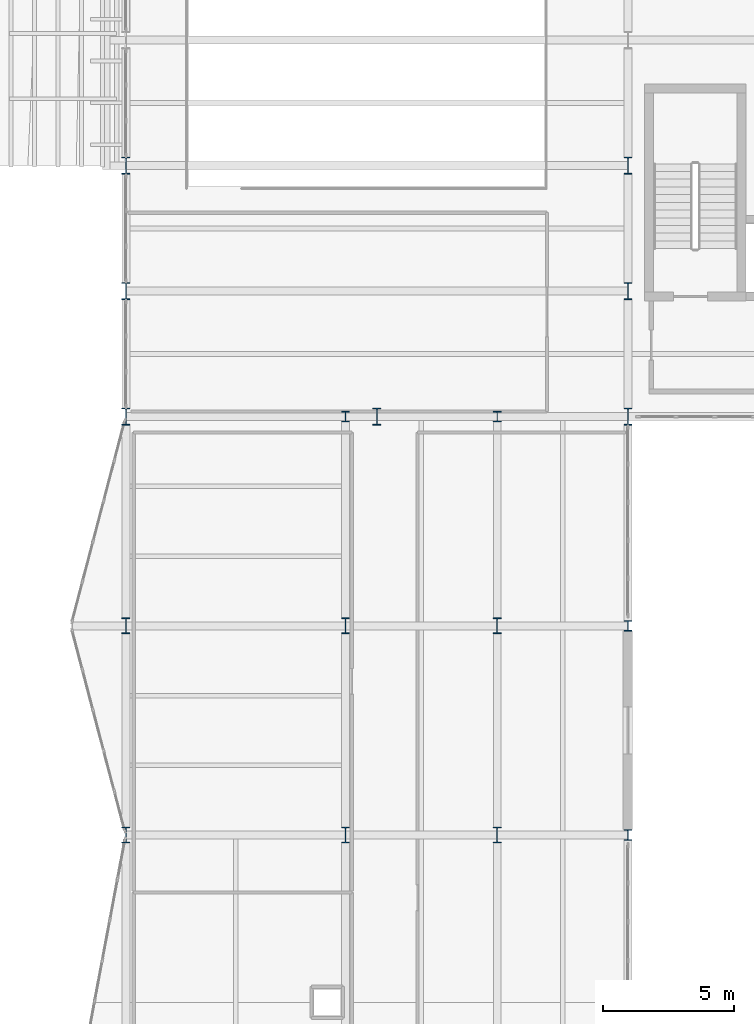
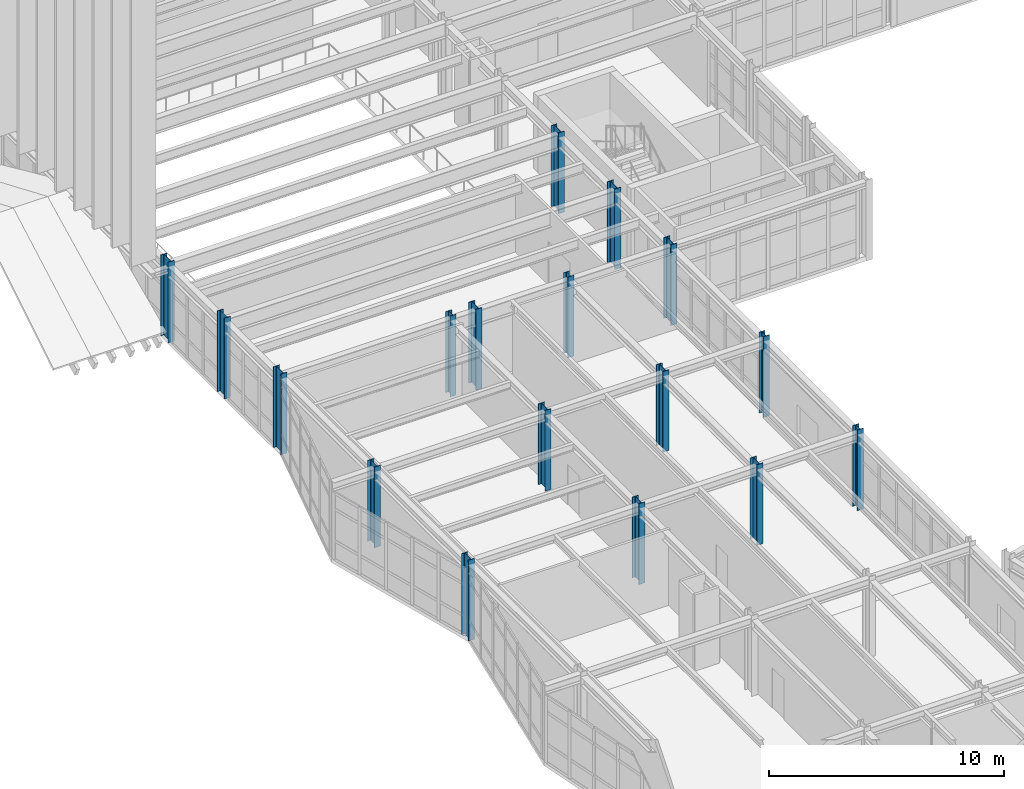
# One storey, part 9 of 99: 17 columns.
"""IFC4 building model written with IfcOpenShell, lengths in metres."""

import ifcopenshell
import ifcopenshell.guid

model = None  # the IFC model being written
_history = None  # IfcOwnerHistory: only IFC2X3 demands one
_inside = {}  # id of a spatial element -> (the spatial element, [elements in it])
_under = {}  # id of a project, library or spatial element -> (it, [spatial elements below it])
_declared = {}  # id of a project -> (the project, [libraries it declares])
_typed = {}  # id of a type object -> (the type object, [elements of that type])
_made_of = {}  # id of a material, layer set ... -> (it, [elements and type objects made of it])


def new_model(schema):
    """Start an empty IFC model of exactly this schema.

    Asked for "IFC4X3", IfcOpenShell would pick the latest addendum, in which some entities
    have other attributes; the version numbers below select the first issue.
    IFC2X3 requires an IfcOwnerHistory on every rooted entity: one is made here for all.
    """
    global model, _history
    if schema == "IFC4X3":
        model = ifcopenshell.file(schema_version=(4, 3, 0, 0))
    else:
        model = ifcopenshell.file(schema=schema)
    _inside.clear()
    _under.clear()
    _declared.clear()
    _typed.clear()
    _made_of.clear()
    _history = None
    if model.schema == "IFC2X3":
        org = make("IfcOrganization", Name="unknown")
        user = make(
            "IfcPersonAndOrganization",
            ThePerson=make("IfcPerson", FamilyName="unknown"),
            TheOrganization=org,
        )
        app = make(
            "IfcApplication",
            ApplicationDeveloper=org,
            Version="unknown",
            ApplicationFullName="unknown",
            ApplicationIdentifier="unknown",
        )
        _history = make(
            "IfcOwnerHistory",
            OwningUser=user,
            OwningApplication=app,
            ChangeAction="ADDED",
            CreationDate=0,
        )
    return model


def make(cls, **values):
    """One entity of the class cls with the attributes given. An attribute that is None is left unset."""
    return model.create_entity(
        cls, **{name: value for name, value in values.items() if value is not None}
    )


def rooted(cls, **values):
    """An entity with a GlobalId (a new one), such as an element, a storey or a relation."""
    return make(cls, GlobalId=ifcopenshell.guid.new(), OwnerHistory=_history, **values)


def si_unit(unit_type, name, prefix=None):
    """IfcSIUnit, for example si_unit("LENGTHUNIT", "METRE", prefix="MILLI")."""
    return make("IfcSIUnit", UnitType=unit_type, Prefix=prefix, Name=name)


def assignment(units):
    """IfcUnitAssignment: the units of a project."""
    return None if units is None else make("IfcUnitAssignment", Units=units)


def point(xyz):
    """IfcCartesianPoint."""
    return None if xyz is None else make("IfcCartesianPoint", Coordinates=xyz)


def direction(xyz):
    """IfcDirection."""
    return None if xyz is None else make("IfcDirection", DirectionRatios=xyz)


def frame(location, z_axis=None, x_axis=None):
    """IfcAxis2Placement3D, a coordinate frame: its origin and axes. An axis left out is left unset."""
    return make(
        "IfcAxis2Placement3D",
        Location=point(location),
        Axis=direction(z_axis),
        RefDirection=direction(x_axis),
    )


def frame_2d(location, x_axis=None):
    """IfcAxis2Placement2D, a coordinate frame in the plane: its origin and x axis."""
    return make(
        "IfcAxis2Placement2D", Location=point(location), RefDirection=direction(x_axis)
    )


def origin():
    """The frame at (0, 0, 0) with its axes left unset."""
    return frame((0.0, 0.0, 0.0))


def origin_2d():
    """The frame at (0, 0) in the plane with its x axis left unset."""
    return frame_2d((0.0, 0.0))


def place(relative_to, where):
    """IfcLocalPlacement: puts the frame where relative to a parent placement (None: the world)."""
    return make(
        "IfcLocalPlacement", PlacementRelTo=relative_to, RelativePlacement=where
    )


def context(
    kind, dimensions, precision=None, world=None, true_north=None, identifier=None
):
    """IfcGeometricRepresentationContext, for example the 3D "Model" context."""
    return make(
        "IfcGeometricRepresentationContext",
        ContextIdentifier=identifier,
        ContextType=kind,
        CoordinateSpaceDimension=dimensions,
        Precision=precision,
        WorldCoordinateSystem=world,
        TrueNorth=true_north,
    )


def subcontext(parent, identifier, kind, view, scale=None):
    """IfcGeometricRepresentationSubContext, for example "Body" below "Model"."""
    return make(
        "IfcGeometricRepresentationSubContext",
        ContextIdentifier=identifier,
        ContextType=kind,
        ParentContext=parent,
        TargetScale=scale,
        TargetView=view,
    )


def project(units=None, contexts=None):
    """IfcProject with its units and contexts."""
    return rooted(
        "IfcProject",
        Name="project",
        RepresentationContexts=contexts,
        UnitsInContext=assignment(units),
    )


def spatial(cls, under=None, at=None, **own):
    """A site, building, storey or space (cls), placed at a placement, below another one or the project."""
    s = rooted(cls, ObjectPlacement=at, **own)
    if under is not None:
        _under.setdefault(under.id(), (under, []))[1].append(s)
    return s


def profile(cls, at=None, kind="AREA", **sizes):
    """A parametric profile (cls). Its sizes go by their IFC names, for example OverallWidth=200.0."""
    return make(cls, ProfileType=kind, Position=at, **sizes)


def i_section(**sizes):
    """IfcIShapeProfileDef."""
    return profile("IfcIShapeProfileDef", **sizes)


def extrude(swept, where, along, depth):
    """IfcExtrudedAreaSolid: the profile swept, set in the frame where, extruded along a direction by depth."""
    return make(
        "IfcExtrudedAreaSolid",
        SweptArea=swept,
        Position=where,
        ExtrudedDirection=direction(along),
        Depth=depth,
    )


def shape(context_of_items, identifier, shape_type, items):
    """IfcShapeRepresentation: the items that make up one representation, for example the "Body"."""
    return make(
        "IfcShapeRepresentation",
        ContextOfItems=context_of_items,
        RepresentationIdentifier=identifier,
        RepresentationType=shape_type,
        Items=items,
    )


def material(Name=None, Category=None):
    """IfcMaterial."""
    return make("IfcMaterial", Name=Name, Category=Category)


def material_profile(
    of_material, cross_section, Name=None, Category=None, Priority=None
):
    """IfcMaterialProfile: a cross section and its material."""
    return make(
        "IfcMaterialProfile",
        Name=Name,
        Material=of_material,
        Profile=cross_section,
        Priority=Priority,
        Category=Category,
    )


def profile_set(profiles, Name=None, composite=None):
    """IfcMaterialProfileSet."""
    return make(
        "IfcMaterialProfileSet",
        Name=Name,
        MaterialProfiles=profiles,
        CompositeProfile=composite,
    )


def made_of(thing, what):
    """Note that an element or type object is made of a material, layer set ...; save() writes the relation."""
    if what is not None:
        _made_of.setdefault(what.id(), (what, []))[1].append(thing)
    return thing


def type_object(cls, material=None, **own):
    """A type object (cls), such as IfcWallType, which elements share."""
    return made_of(rooted(cls, **own), material)


def element(
    cls,
    number,
    at=None,
    inside=None,
    cuts=None,
    type_object=None,
    material=None,
    context=None,
    identifier="Body",
    shape_type=None,
    held_by="IfcProductDefinitionShape",
    body=None,
    shapes=None,
    **own,
):
    """One element of the class cls, such as IfcWall. Its Tag is "e" and its number.

    at: its placement. inside: the storey or other place that contains it. cuts: it is an
    opening in that element (IfcRelVoidsElement). A single representation is given by context,
    identifier, shape_type and body (its items); several are given by shapes. held_by: the class
    of the entity that holds the representations. save() writes the other relations.
    """
    e = rooted(cls, Tag="e%d" % number, ObjectPlacement=at, **own)
    if body is not None:
        shapes = [shape(context, identifier, shape_type, body)]
    if shapes is not None:
        e.Representation = make(held_by, Representations=shapes)
    if inside is not None:
        _inside.setdefault(inside.id(), (inside, []))[1].append(e)
    if cuts is not None:
        rooted(
            "IfcRelVoidsElement", RelatingBuildingElement=cuts, RelatedOpeningElement=e
        )
    if type_object is not None:
        _typed.setdefault(type_object.id(), (type_object, []))[1].append(e)
    return made_of(e, material)


def aggregate(whole, parts):
    """IfcRelAggregates: a whole, such as a stair, and the parts it consists of."""
    return rooted("IfcRelAggregates", RelatingObject=whole, RelatedObjects=parts)


def save(model, path):
    """Write the relations noted so far, then the file.

    IfcRelAggregates (storeys below a building ...), IfcRelContainedInSpatialStructure (elements
    in a storey), IfcRelDefinesByType, IfcRelAssociatesMaterial and IfcRelDeclares: one each for
    every whole, place, type object, material and project.
    """
    for whole, parts in _under.values():
        aggregate(whole, parts)
    for where, things in _inside.values():
        rooted(
            "IfcRelContainedInSpatialStructure",
            RelatedElements=things,
            RelatingStructure=where,
        )
    for kind, things in _typed.values():
        rooted("IfcRelDefinesByType", RelatedObjects=things, RelatingType=kind)
    for what, things in _made_of.values():
        rooted("IfcRelAssociatesMaterial", RelatedObjects=things, RelatingMaterial=what)
    for by, libraries in _declared.values():
        rooted("IfcRelDeclares", RelatingContext=by, RelatedDefinitions=libraries)
    model.write(path)


model = new_model("IFC4")

# Units and contexts
model_context = context("Model", 3, precision=1e-05, world=origin(), true_north=direction((0.0, 1.0)))
body_context = subcontext(model_context, "Body", "Model", "MODEL_VIEW")
ifc_project = project(units=[si_unit("LENGTHUNIT", "METRE"), si_unit("AREAUNIT", "SQUARE_METRE"), si_unit("VOLUMEUNIT", "CUBIC_METRE"), si_unit("PLANEANGLEUNIT", "RADIAN"), si_unit("MASSUNIT", "GRAM", prefix="KILO")], contexts=[model_context])

# Site, building, storey
site_placement = place(None, origin())
site = spatial("IfcSite", under=ifc_project, at=site_placement, CompositionType="ELEMENT")
building_placement = place(site_placement, origin())
building = spatial("IfcBuilding", under=site, at=building_placement, Name="Nordkorset Police Headquarters", CompositionType="ELEMENT")
storey_placement = place(building_placement, frame((0.0, 0.0, 5.25)))
storey = spatial("IfcBuildingStorey", under=building, at=storey_placement, Name="L01", CompositionType="ELEMENT", Elevation=5.25)

# Columns
ifc_material_1 = material(Name="Steel S355J2", Category="steel")
ifc_material_profile_1 = material_profile(ifc_material_1, i_section(OverallWidth=0.300048828125, OverallDepth=0.39990234375, WebThickness=0.013427734375, FlangeThickness=0.02392578125, FilletRadius=0.027099609375, at=origin_2d()), Name="HEB 400")
ifc_profile_set_1 = profile_set([ifc_material_profile_1], Name="Steel S355J2")
column_type_1 = type_object("IfcColumnType", Name="Col_HEB_400", PredefinedType="COLUMN", material=ifc_profile_set_1)
for number, where, z_axis, x_axis, name in (
    (1, (19.199951171875, 67.199951171875, 0.0), (0.0, 0.0, 1.0), (1.0, 0.0, 0.0), "Structural Column V3_X3_4 L01"),
    (2, (19.199951171875, 75.199951171875, 0.0), (0.0, 0.0, 1.0), (1.0, 0.0, 0.0), "Structural Column V3_X3_5 L01"),
    (3, (8.39990234375, 83.199951171875, 0.0), (0.0, 0.0, 1.0), (1.0, 0.0, 0.0), "Structural Column V3_X1_6 L01"),
    (4, (14.199951171875, 83.199951171875, 0.0), (0.0, 0.0, 1.0), (1.0, 0.0, 0.0), "Structural Column V3_X2_6 L01"),
):
    element("IfcColumn", number, at=place(storey_placement, frame(where, z_axis=z_axis, x_axis=x_axis)), inside=storey, type_object=column_type_1, Name=name, PredefinedType="COLUMN", context=body_context, shape_type="SweptSolid", body=[
        extrude(i_section(OverallWidth=0.300048828125, OverallDepth=0.39990234375, WebThickness=0.013427734375, FlangeThickness=0.02392578125, FilletRadius=0.027099609375, at=origin_2d()), origin(), (0.0, 0.0, 1.0), 4.199951171875),
    ])
ifc_material_2 = material(Name="Steel S355J2", Category="steel")
ifc_material_profile_2 = material_profile(ifc_material_2, i_section(OverallWidth=0.300048828125, OverallDepth=0.60009765625, WebThickness=0.015380859375, FlangeThickness=0.030029296875, FilletRadius=0.027099609375, at=origin_2d()), Name="HEB 600")
ifc_profile_set_2 = profile_set([ifc_material_profile_2], Name="Steel S355J2")
column_type_2 = type_object("IfcColumnType", Name="Col_HEB_600", PredefinedType="COLUMN", material=ifc_profile_set_2)
for number, where, z_axis, x_axis, name in (
    (5, (0.0, 67.199951171875, 0.0), (0.0, 0.0, 1.0), (1.0, 0.0, 0.0), "Structural Column V3_X0_4 L01"),
    (6, (8.39990234375, 67.199951171875, 0.0), (0.0, 0.0, 1.0), (1.0, 0.0, 0.0), "Structural Column V3_X1_4 L01"),
    (7, (14.199951171875, 67.199951171875, 0.0), (0.0, 0.0, 1.0), (1.0, 0.0, 0.0), "Structural Column V3_X2_4 L01"),
    (8, (0.0, 75.199951171875, 0.0), (0.0, 0.0, 1.0), (1.0, 0.0, 0.0), "Structural Column V3_X0_5 L01"),
    (9, (8.39990234375, 75.199951171875, 0.0), (0.0, 0.0, 1.0), (1.0, 0.0, 0.0), "Structural Column V3_X1_5 L01"),
    (10, (14.199951171875, 75.199951171875, 0.0), (0.0, 0.0, 1.0), (1.0, 0.0, 0.0), "Structural Column V3_X2_5 L01"),
):
    element("IfcColumn", number, at=place(storey_placement, frame(where, z_axis=z_axis, x_axis=x_axis)), inside=storey, type_object=column_type_2, Name=name, PredefinedType="COLUMN", context=body_context, shape_type="SweptSolid", body=[
        extrude(i_section(OverallWidth=0.300048828125, OverallDepth=0.60009765625, WebThickness=0.015380859375, FlangeThickness=0.030029296875, FilletRadius=0.027099609375, at=origin_2d()), origin(), (0.0, 0.0, 1.0), 4.199951171875),
    ])
ifc_material_3 = material(Name="Steel S355J2", Category="steel")
ifc_material_profile_3 = material_profile(ifc_material_3, i_section(OverallWidth=0.300048828125, OverallDepth=0.64990234375, WebThickness=0.01611328125, FlangeThickness=0.031005859375, FilletRadius=0.027099609375, at=origin_2d()), Name="HEB 650")
ifc_profile_set_3 = profile_set([ifc_material_profile_3], Name="Steel S355J2")
column_type_3 = type_object("IfcColumnType", Name="Col_HEB_650", PredefinedType="COLUMN", material=ifc_profile_set_3)
for number, where, z_axis, x_axis, name in (
    (11, (0.0, 83.199951171875, 0.0), (0.0, 0.0, 1.0), (1.0, 0.0, 0.0), "Structural Column V1_W_0 L01"),
    (12, (0.0, 88.0, 0.0), (0.0, 0.0, 1.0), (1.0, 0.0, 0.0), "Structural Column V1_W_1 L01"),
    (13, (0.0, 92.800048828125, 0.0), (0.0, 0.0, 1.0), (1.0, 0.0, 0.0), "Structural Column V1_W_2 L01"),
    (14, (9.60009765625, 83.199951171875, 0.0), (0.0, 0.0, 1.0), (1.0, 0.0, 0.0), "Structural Column V1_S_0 L01"),
    (15, (19.199951171875, 83.199951171875, 0.0), (0.0, 0.0, 1.0), (1.0, 0.0, 0.0), "Structural Column V1_S_1 L01"),
    (16, (19.199951171875, 88.0, 0.0), (0.0, 0.0, 1.0), (1.0, 0.0, 0.0), "Structural Column V1_CW_0 L01"),
    (17, (19.199951171875, 92.800048828125, 0.0), (0.0, 0.0, 1.0), (1.0, 0.0, 0.0), "Structural Column V1_CW_1 L01"),
):
    element("IfcColumn", number, at=place(storey_placement, frame(where, z_axis=z_axis, x_axis=x_axis)), inside=storey, type_object=column_type_3, Name=name, PredefinedType="COLUMN", context=body_context, shape_type="SweptSolid", body=[
        extrude(i_section(OverallWidth=0.300048828125, OverallDepth=0.64990234375, WebThickness=0.01611328125, FlangeThickness=0.031005859375, FilletRadius=0.027099609375, at=origin_2d()), origin(), (0.0, 0.0, 1.0), 4.199951171875),
    ])

save(model, "model.ifc")
